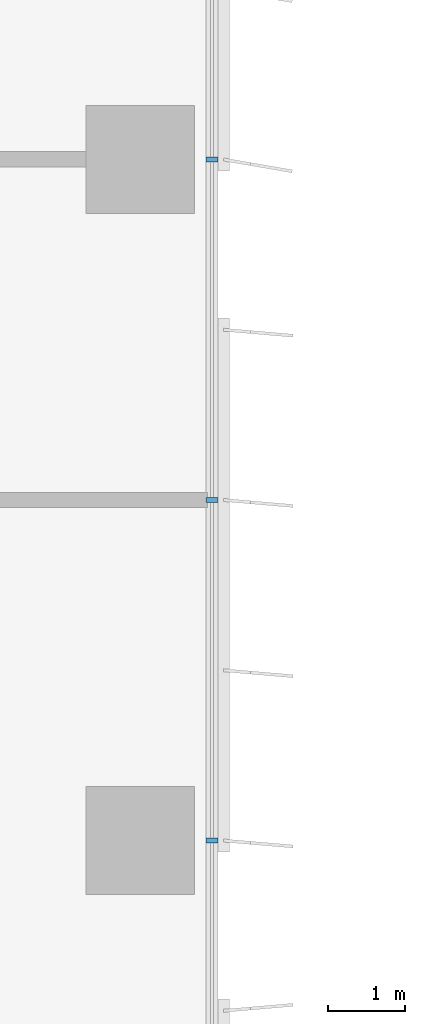
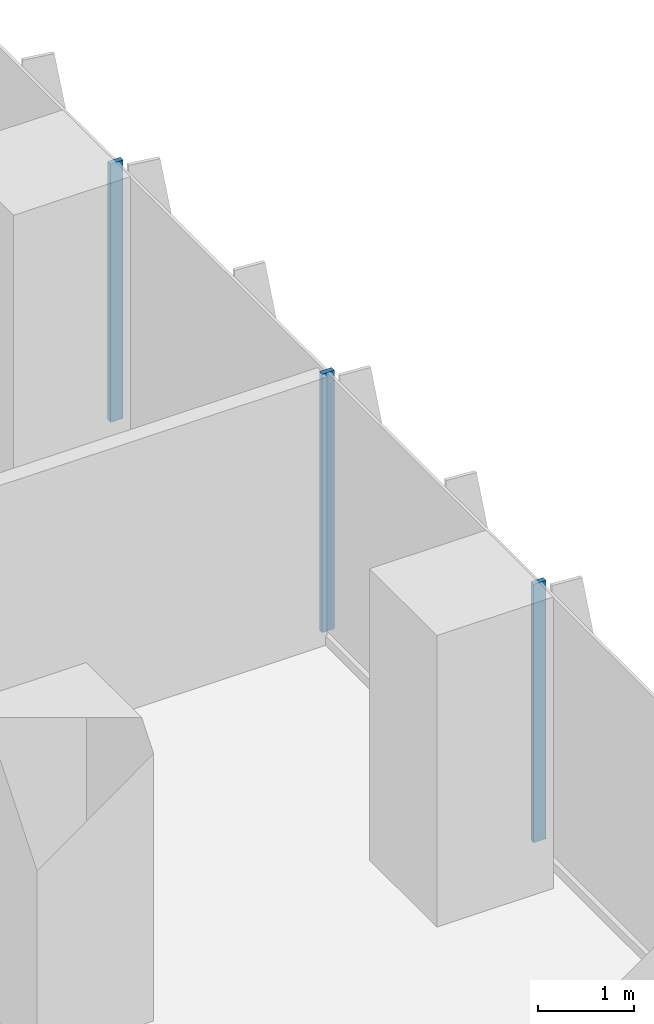
# One storey, part 7 of 24: 3 members, 1 element without a shape of its own.
"""IFC4 building model written with IfcOpenShell, lengths in metres."""

from ifc_helpers import new_model, si_unit, direction, frame, origin, origin_2d, place, context, subcontext, project, spatial, rectangle, extrude, source, transform, mapped, material, material_profile, profile_set, type_object, element, aggregate, save


model = new_model("IFC4")

# Units and contexts
model_context = context("Model", 3, precision=1e-05, world=origin(), true_north=direction((0.0, 1.0)))
body_context = subcontext(model_context, "Body", "Model", "MODEL_VIEW")
ifc_project = project(units=[si_unit("LENGTHUNIT", "METRE"), si_unit("AREAUNIT", "SQUARE_METRE"), si_unit("VOLUMEUNIT", "CUBIC_METRE"), si_unit("PLANEANGLEUNIT", "RADIAN"), si_unit("MASSUNIT", "GRAM", prefix="KILO")], contexts=[model_context])

# Site, building, storey
site_placement = place(None, origin())
site = spatial("IfcSite", under=ifc_project, at=site_placement, CompositionType="ELEMENT")
building_placement = place(site_placement, origin())
building = spatial("IfcBuilding", under=site, at=building_placement, Name="Kemantara Hotel Tower", CompositionType="ELEMENT")
storey_placement = place(building_placement, frame((0.0, 0.0, 52.5)))
storey = spatial("IfcBuildingStorey", under=building, at=storey_placement, Name="L11", CompositionType="ELEMENT", Elevation=52.5)

# Curtain wall, members
ifc_material_1 = material(Name="Low-E tinted double insulated glass 36 mm", Category="glass")
curtain_wall_type = type_object("IfcCurtainWallType", Name="TOWER CURTAIN WALL, FRONT FACES", PredefinedType="USERDEFINED", material=ifc_material_1)
curtain_wall_placement = place(storey_placement, origin())
curtain_wall = element("IfcCurtainWall", 1, at=curtain_wall_placement, inside=storey, type_object=curtain_wall_type, Name="CW4 L11 T1-R08-1", ObjectType="TOWER CURTAIN WALL, FRONT FACES", PredefinedType="USERDEFINED")
ifc_material_2 = material(Name="Aluminium 6063-T6 bronze anodised", Category="aluminium")
ifc_material_profile = material_profile(ifc_material_2, rectangle(XDim=0.14990234375, YDim=0.06005859375, at=origin_2d()), Name="TOWER CURTAIN WALL, FRONT FACES MULLION")
ifc_profile_set = profile_set([ifc_material_profile], Name="Aluminium 6063-T6 bronze anodised")
member_type = type_object("IfcMemberType", Name="TOWER CURTAIN WALL, FRONT FACES MULLION", PredefinedType="MULLION", material=ifc_profile_set)
shared_shape = source(origin(), body_context, "Body", "SweptSolid", [
    extrude(rectangle(XDim=0.14990234375, YDim=0.06005859375, at=origin_2d()), origin(), (0.0, 0.0, 1.0), 3.27978515625),
])
member_1_placement = place(storey_placement, frame((26.72509765625, 53.800048828125, 0.1201171875), z_axis=(0.0, 0.0, 1.0), x_axis=(-1.0, 0.0, 0.0)))
member_1 = element("IfcMember", 2, at=member_1_placement, type_object=member_type, Name="CW4 mullion T1-R08-1.8", PredefinedType="MULLION", context=body_context, shape_type="MappedRepresentation", body=[
    mapped(shared_shape, transform((0.0, 0.0, 0.0))),
])
member_2_placement = place(storey_placement, frame((26.72509765625, 58.199951171875, 0.1201171875), z_axis=(0.0, 0.0, 1.0), x_axis=(-1.0, 0.0, 0.0)))
member_2 = element("IfcMember", 3, at=member_2_placement, type_object=member_type, Name="CW4 mullion T1-R08-1.9", PredefinedType="MULLION", context=body_context, shape_type="MappedRepresentation", body=[
    mapped(shared_shape, transform((0.0, 0.0, 0.0))),
])
member_3_placement = place(storey_placement, frame((26.72509765625, 62.60009765625, 0.1201171875), z_axis=(0.0, 0.0, 1.0), x_axis=(-1.0, 0.0, 0.0)))
member_3 = element("IfcMember", 4, at=member_3_placement, type_object=member_type, Name="CW4 mullion T1-R08-1.10", PredefinedType="MULLION", context=body_context, shape_type="MappedRepresentation", body=[
    mapped(shared_shape, transform((0.0, 0.0, 0.0))),
])
aggregate(curtain_wall, [member_1, member_2, member_3])

save(model, "model.ifc")
